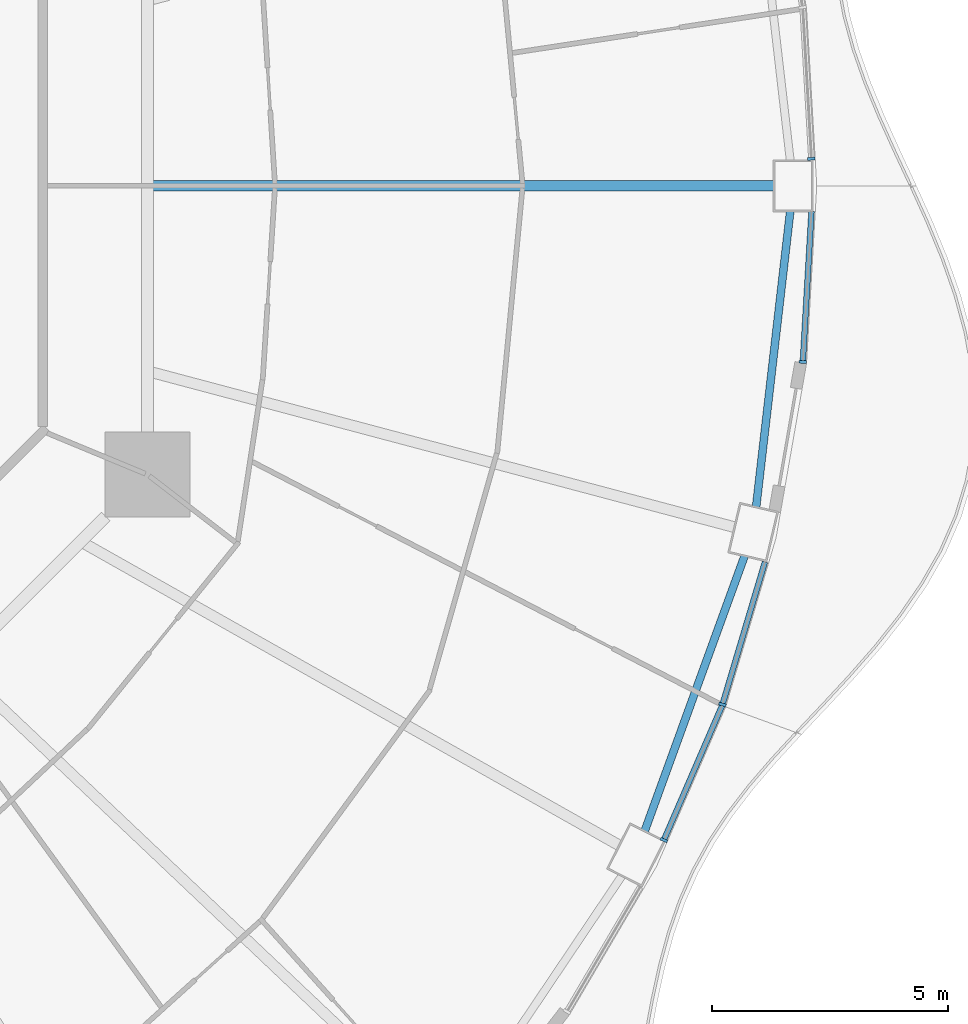
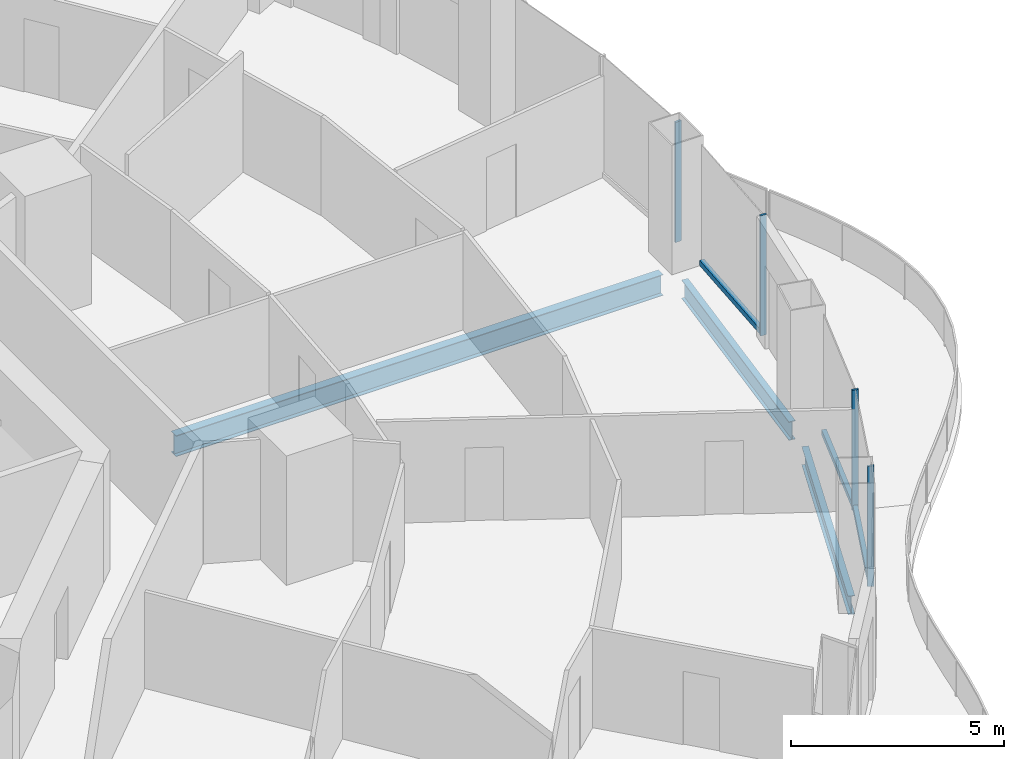
# One storey, part 5 of 19: 7 members, 3 beams, 4 elements without a shape of their own.
"""IFC4 building model written with IfcOpenShell, lengths in metres."""

from ifc_helpers import new_model, si_unit, direction, frame, origin, origin_2d, place, context, subcontext, project, spatial, rectangle, i_section, extrude, material, layer, layer_set, material_profile, profile_set, type_object, element, aggregate, save


model = new_model("IFC4")

# Units and contexts
model_context = context("Model", 3, precision=1e-05, world=origin(), true_north=direction((0.0, 1.0)))
body_context = subcontext(model_context, "Body", "Model", "MODEL_VIEW")
ifc_project = project(units=[si_unit("LENGTHUNIT", "METRE"), si_unit("AREAUNIT", "SQUARE_METRE"), si_unit("VOLUMEUNIT", "CUBIC_METRE"), si_unit("PLANEANGLEUNIT", "RADIAN"), si_unit("MASSUNIT", "GRAM", prefix="KILO")], contexts=[model_context])

# Site, building, storey
site_placement = place(None, origin())
site = spatial("IfcSite", under=ifc_project, at=site_placement, CompositionType="ELEMENT")
building_placement = place(site_placement, origin())
building = spatial("IfcBuilding", under=site, at=building_placement, Name="Nagisa Residences", CompositionType="ELEMENT")
storey_placement = place(building_placement, frame((0.0, 0.0, 199.199951171875)))
storey = spatial("IfcBuildingStorey", under=building, at=storey_placement, Name="L50", CompositionType="ELEMENT", Elevation=199.199951171875)

# Curtain wall, member
ifc_material_1 = material(Name="Concrete-coloured aluminium curtain wall system", Category="concrete")
ifc_layer = layer(ifc_material_1, 0.159912109375)
ifc_layer_set = layer_set([ifc_layer], Name="CW1 CURTAIN WALL")
curtain_wall_type = type_object("IfcCurtainWallType", Name="CW1 CURTAIN WALL", PredefinedType="NOTDEFINED", material=ifc_layer_set)
curtain_wall_1_placement = place(storey_placement, origin())
curtain_wall_1 = element("IfcCurtainWall", 1, at=curtain_wall_1_placement, inside=storey, type_object=curtain_wall_type, Name="cw:CW1:L50:00", PredefinedType="NOTDEFINED")
ifc_material_2 = material(Name="Concrete-coloured aluminium", Category="concrete")
ifc_material_profile_1 = material_profile(ifc_material_2, rectangle(XDim=0.159912109375, YDim=0.06005859375, at=origin_2d()), Name="CW1 MULLION 160x60")
ifc_profile_set_1 = profile_set([ifc_material_profile_1], Name="Concrete-coloured aluminium")
member_type_1 = type_object("IfcMemberType", Name="CW1 MULLION 160x60", PredefinedType="MULLION", material=ifc_profile_set_1)
member_1_placement = place(storey_placement, frame((28.86181640625, 0.574462890625, 0.0), z_axis=(0.0, 0.0, 1.0), x_axis=(-0.998345305184, -0.057503492216, 0.0)))
member_1 = element("IfcMember", 2, at=member_1_placement, type_object=member_type_1, Name="CW1 mullion", PredefinedType="MULLION", context=body_context, shape_type="SweptSolid", body=[
    extrude(rectangle(XDim=0.159912109375, YDim=0.06005859375, at=origin_2d()), origin(), (0.0, 0.0, 1.0), 3.43994140625),
])
aggregate(curtain_wall_1, [member_1])

curtain_wall_2_placement = place(storey_placement, origin())
curtain_wall_2 = element("IfcCurtainWall", 3, at=curtain_wall_2_placement, inside=storey, type_object=curtain_wall_type, Name="cw:CW1:L50:44", PredefinedType="NOTDEFINED")
member_2_placement = place(storey_placement, frame((25.732666015625, -13.87353515625, 0.0), z_axis=(0.0, 0.0, 1.0), x_axis=(-0.917543276295, 0.397635934147, 0.0)))
member_2 = element("IfcMember", 4, at=member_2_placement, type_object=member_type_1, Name="CW1 mullion", PredefinedType="MULLION", context=body_context, shape_type="SweptSolid", body=[
    extrude(rectangle(XDim=0.159912109375, YDim=0.06005859375, at=origin_2d()), origin(), (0.0, 0.0, 1.0), 3.43994140625),
])

curtain_wall_3_placement = place(storey_placement, origin())
curtain_wall_3 = element("IfcCurtainWall", 5, at=curtain_wall_3_placement, inside=storey, type_object=curtain_wall_type, Name="cw:CW1:L50:45", PredefinedType="NOTDEFINED")
member_3_placement = place(storey_placement, frame((26.975341796875, -10.998291015625, 0.0), z_axis=(0.0, 0.0, 1.0), x_axis=(-0.958271310082, 0.285860274038, 0.0)))
member_3 = element("IfcMember", 6, at=member_3_placement, type_object=member_type_1, Name="CW1 mullion", PredefinedType="MULLION", context=body_context, shape_type="SweptSolid", body=[
    extrude(rectangle(XDim=0.159912109375, YDim=0.06005859375, at=origin_2d()), origin(), (0.0, 0.0, 1.0), 3.43994140625),
])

curtain_wall_4_placement = place(storey_placement, origin())
curtain_wall_4 = element("IfcCurtainWall", 7, at=curtain_wall_4_placement, inside=storey, type_object=curtain_wall_type, Name="cw:CW1:L50:47", PredefinedType="NOTDEFINED")
member_4_placement = place(storey_placement, frame((28.6796875, -3.734375, 0.0), z_axis=(0.0, 0.0, 1.0), x_axis=(-0.998345305184, 0.057503492216, 0.0)))
member_4 = element("IfcMember", 8, at=member_4_placement, type_object=member_type_1, Name="CW1 mullion", PredefinedType="MULLION", context=body_context, shape_type="SweptSolid", body=[
    extrude(rectangle(XDim=0.159912109375, YDim=0.06005859375, at=origin_2d()), origin(), (0.0, 0.0, 1.0), 3.43994140625),
])

# Member
ifc_material_3 = material(Name="Concrete-coloured aluminium", Category="concrete")
ifc_material_profile_2 = material_profile(ifc_material_3, rectangle(XDim=0.1201171875, YDim=0.14990234375, at=origin_2d()), Name="CW1 TRANSOM 120x150")
ifc_profile_set_2 = profile_set([ifc_material_profile_2], Name="Concrete-coloured aluminium")
member_type_2 = type_object("IfcMemberType", Name="CW1 TRANSOM 120x150", PredefinedType="USERDEFINED", material=ifc_profile_set_2)
member_5_placement = place(storey_placement, frame((25.720703125, -13.901123046875, 0.074951171875), z_axis=(0.397592173732, 0.917562239517, 0.0), x_axis=(-0.917562239517, 0.397592173732, 0.0)))
member_5 = element("IfcMember", 9, at=member_5_placement, type_object=member_type_2, Name="CW1 transom", ObjectType="TRANSOM", PredefinedType="USERDEFINED", context=body_context, shape_type="SweptSolid", body=[
    extrude(rectangle(XDim=0.1201171875, YDim=0.14990234375, at=origin_2d()), origin(), (0.0, 0.0, 1.0), 3.14208984375),
])

aggregate(curtain_wall_2, [member_2, member_5])

member_6_placement = place(storey_placement, frame((26.966796875, -11.027099609375, 0.074951171875), z_axis=(0.28584838049, 0.958274857946, 0.0), x_axis=(-0.958274857946, 0.28584838049, 0.0)))
member_6 = element("IfcMember", 10, at=member_6_placement, type_object=member_type_2, Name="CW1 transom", ObjectType="TRANSOM", PredefinedType="USERDEFINED", context=body_context, shape_type="SweptSolid", body=[
    extrude(rectangle(XDim=0.1201171875, YDim=0.14990234375, at=origin_2d()), origin(), (0.0, 0.0, 1.0), 3.182373046875),
])

aggregate(curtain_wall_3, [member_3, member_6])

member_7_placement = place(storey_placement, frame((28.677978515625, -3.764404296875, 0.074951171875), z_axis=(0.057528345118, 0.998343873376, 0.0), x_axis=(-0.998343873376, 0.057528345118, 0.0)))
member_7 = element("IfcMember", 11, at=member_7_placement, type_object=member_type_2, Name="CW1 transom", ObjectType="TRANSOM", PredefinedType="USERDEFINED", context=body_context, shape_type="SweptSolid", body=[
    extrude(rectangle(XDim=0.1201171875, YDim=0.14990234375, at=origin_2d()), origin(), (0.0, 0.0, 1.0), 3.225341796875),
])

aggregate(curtain_wall_4, [member_4, member_7])

# Beams
ifc_material_4 = material(Name="Steel ASTM A572 Gr 50", Category="steel")
ifc_material_profile_3 = material_profile(ifc_material_4, i_section(OverallWidth=0.166015625, OverallDepth=0.534912109375, WebThickness=0.01025390625, FlangeThickness=0.0166015625, at=origin_2d()), Name="W530x85")
ifc_profile_set_3 = profile_set([ifc_material_profile_3], Name="Steel ASTM A572 Gr 50")
beam_type_1 = type_object("IfcBeamType", Name="Perimeter ring beam W530x85", PredefinedType="BEAM", material=ifc_profile_set_3)
beam_1_placement = place(storey_placement, frame((25.32470703125, -13.685546875, -0.52734375), z_axis=(0.341320243926, 0.939947068237, 0.0), x_axis=(-0.939947068237, 0.341320243926, 0.0)))
element("IfcBeam", 12, at=beam_1_placement, inside=storey, type_object=beam_type_1, Name="beam:L50:pb23", PredefinedType="BEAM", context=body_context, shape_type="SweptSolid", body=[
    extrude(i_section(OverallWidth=0.166015625, OverallDepth=0.534912109375, WebThickness=0.01025390625, FlangeThickness=0.0166015625, at=origin_2d()), origin(), (0.0, 0.0, 1.0), 6.212890625),
])
beam_2_placement = place(storey_placement, frame((27.688720703125, -6.813720703125, -0.52734375), z_axis=(0.11463289794, 0.993407921606, 0.0), x_axis=(-0.993407921606, 0.11463289794, 0.0)))
element("IfcBeam", 13, at=beam_2_placement, inside=storey, type_object=beam_type_1, Name="beam:L50:pb24", PredefinedType="BEAM", context=body_context, shape_type="SweptSolid", body=[
    extrude(i_section(OverallWidth=0.166015625, OverallDepth=0.534912109375, WebThickness=0.01025390625, FlangeThickness=0.0166015625, at=origin_2d()), origin(), (0.0, 0.0, 1.0), 6.325439453125),
])
ifc_material_5 = material(Name="Steel ASTM A572 Gr 50", Category="steel")
ifc_material_profile_4 = material_profile(ifc_material_5, i_section(OverallWidth=0.22802734375, OverallDepth=0.60302734375, WebThickness=0.010498046875, FlangeThickness=0.014892578125, at=origin_2d()), Name="W610x101")
ifc_profile_set_4 = profile_set([ifc_material_profile_4], Name="Steel ASTM A572 Gr 50")
beam_type_2 = type_object("IfcBeamType", Name="Radial beam W610x101", PredefinedType="BEAM", material=ifc_profile_set_4)
beam_3_placement = place(storey_placement, frame((28.070068359375, 0.0, -0.5615234375), z_axis=(-1.0, 0.0, 0.0), x_axis=(0.0, -1.0, 0.0)))
element("IfcBeam", 14, at=beam_3_placement, inside=storey, type_object=beam_type_2, Name="beam:L50:rb01", PredefinedType="BEAM", context=body_context, shape_type="SweptSolid", body=[
    extrude(i_section(OverallWidth=0.22802734375, OverallDepth=0.60302734375, WebThickness=0.010498046875, FlangeThickness=0.014892578125, at=origin_2d()), origin(), (0.0, 0.0, 1.0), 13.180908203125),
])

save(model, "model.ifc")
